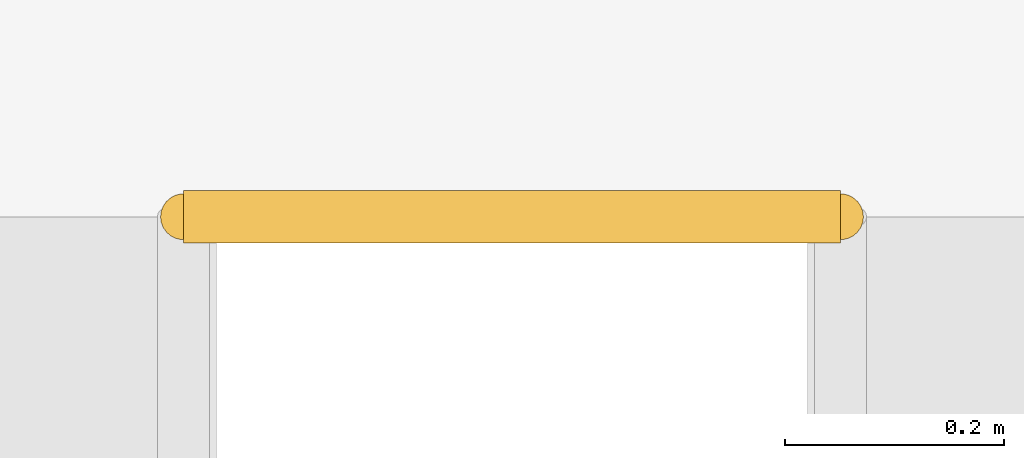
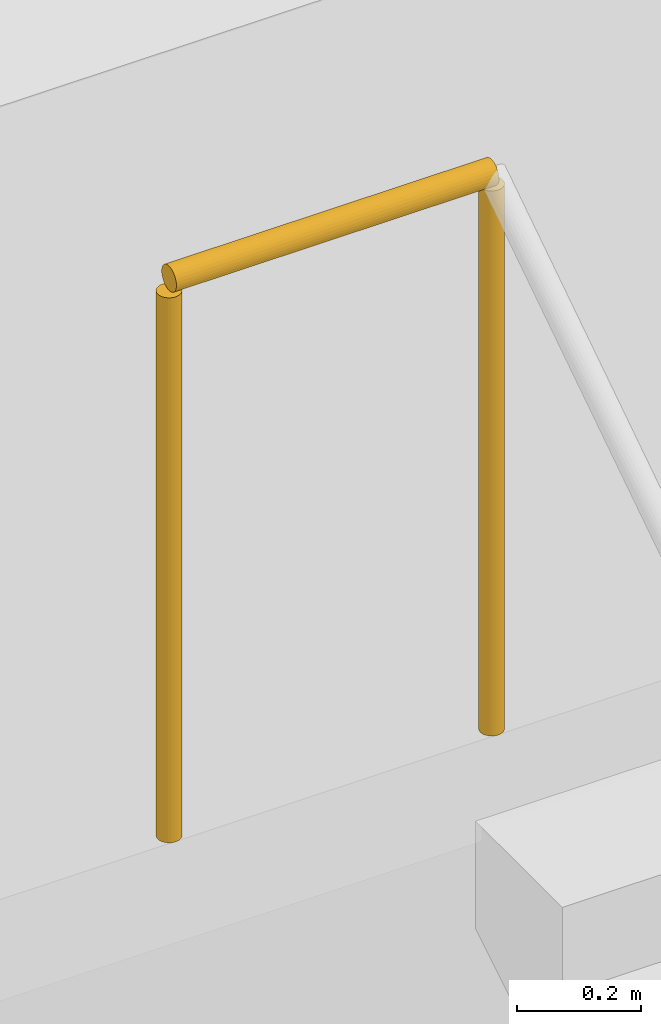
# One storey, part 73 of 79: 1 railing.
"""IFC4 building model written with IfcOpenShell, lengths in metres."""

from ifc_helpers import new_model, si_unit, derived_unit, direction, frame, origin, origin_2d, place, context, subcontext, project, spatial, circle, extrude, material, type_object, element, save


model = new_model("IFC4")

# Units and contexts
model_context = context("Model", 3, precision=1e-05, world=origin(), true_north=direction((0.0, 1.0)))
body_context = subcontext(model_context, "Body", "Model", "MODEL_VIEW")
ifc_project = project(units=[si_unit("LENGTHUNIT", "METRE"), si_unit("AREAUNIT", "SQUARE_METRE"), si_unit("VOLUMEUNIT", "CUBIC_METRE"), si_unit("PLANEANGLEUNIT", "RADIAN"), si_unit("MASSUNIT", "GRAM", prefix="KILO"), derived_unit("THERMALTRANSMITTANCEUNIT", [(si_unit("MASSUNIT", "GRAM", prefix="KILO"), 1), (si_unit("TIMEUNIT", "SECOND"), -3), (si_unit("THERMODYNAMICTEMPERATUREUNIT", "KELVIN"), -1)])], contexts=[model_context])

# Site, building, storey
site_placement = place(None, origin())
site = spatial("IfcSite", under=ifc_project, at=site_placement, CompositionType="ELEMENT")
building_placement = place(site_placement, origin())
building = spatial("IfcBuilding", under=site, at=building_placement, Name="Valcora Ridge Arena", CompositionType="ELEMENT")
storey_placement = place(building_placement, frame((0.0, 0.0, 16.199951171875)))
storey = spatial("IfcBuildingStorey", under=building, at=storey_placement, Name="L03", CompositionType="ELEMENT", Elevation=16.199951171875)

# Railing
ifc_material = material(Name="Galvanized painted steel ASTM A500 Grade B", Category="steel")
railing_type = type_object("IfcRailingType", Name="TY-RAILING-GRD-STAIR-1120", PredefinedType="GUARDRAIL", material=ifc_material)
railing_placement = place(storey_placement, frame((18.89990234375, 57.2900390625, 4.800048828125)))
element("IfcRailing", 1, at=railing_placement, inside=storey, type_object=railing_type, Name="GRD-STAIR-1120 RAL-SG-0054", PredefinedType="GUARDRAIL", context=body_context, shape_type="SweptSolid", body=[
    extrude(circle(Radius=0.02392578125, at=origin_2d()), frame((0.0, 0.0, 1.09619140625), z_axis=(1.0, 0.0, 0.0), x_axis=(0.0, 1.0, 0.0)), (0.0, 0.0, 1.0), 0.60009765625),
    extrude(circle(Radius=0.02099609375, at=origin_2d()), origin(), (0.0, 0.0, 1.0), 1.072021484375),
    extrude(circle(Radius=0.02099609375, at=origin_2d()), frame((0.60009765625, 0.0, 0.0)), (0.0, 0.0, 1.0), 1.072021484375),
])

save(model, "model.ifc")
